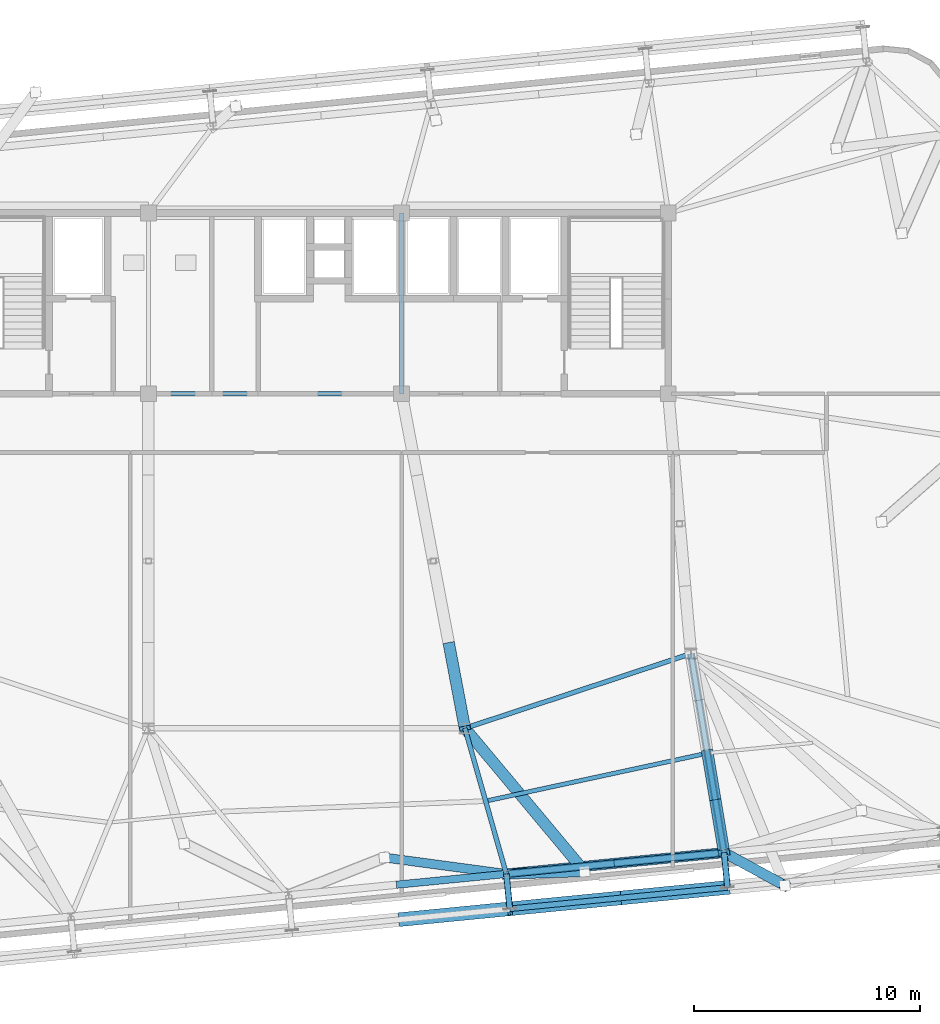
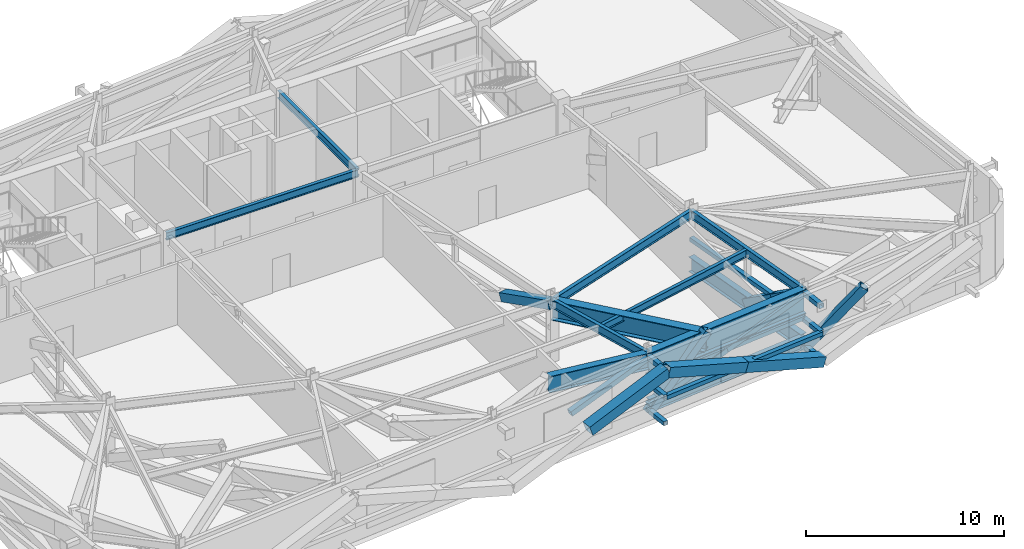
# One storey, part 8 of 24: 22 members, 9 beams.
"""IFC4 building model written with IfcOpenShell, lengths in metres."""

from ifc_helpers import new_model, si_unit, direction, frame, origin, origin_2d, place, context, subcontext, project, spatial, hollow_rectangle, i_section, extrude, source, transform, mapped, material, material_profile, profile_set, type_object, element, save


model = new_model("IFC4")

# Units and contexts
model_context = context("Model", 3, precision=1e-05, world=origin(), true_north=direction((0.0, 1.0)))
body_context = subcontext(model_context, "Body", "Model", "MODEL_VIEW")
ifc_project = project(units=[si_unit("LENGTHUNIT", "METRE"), si_unit("AREAUNIT", "SQUARE_METRE"), si_unit("VOLUMEUNIT", "CUBIC_METRE"), si_unit("PLANEANGLEUNIT", "RADIAN"), si_unit("MASSUNIT", "GRAM", prefix="KILO")], contexts=[model_context])

# Site, building, storey
site_placement = place(None, origin())
site = spatial("IfcSite", under=ifc_project, at=site_placement, CompositionType="ELEMENT")
building_placement = place(site_placement, origin())
building = spatial("IfcBuilding", under=site, at=building_placement, Name="Taldren Reach Tower", CompositionType="ELEMENT")
storey_placement = place(building_placement, frame((0.0, 0.0, 112.35009765625)))
storey = spatial("IfcBuildingStorey", under=building, at=storey_placement, Name="L34", CompositionType="ELEMENT", Elevation=112.35009765625)

# Beams
ifc_material_1 = material(Name="Steel Gr 350 (350PLUS)", Category="steel")
ifc_material_profile_1 = material_profile(ifc_material_1, i_section(OverallWidth=0.19091796875, OverallDepth=0.4599609375, WebThickness=0.010009765625, FlangeThickness=0.01611328125, at=origin_2d()), Name="460UB82.1")
ifc_profile_set_1 = profile_set([ifc_material_profile_1], Name="Steel Gr 350 (350PLUS)")
beam_type_1 = type_object("IfcBeamType", Name="BM-UB460A", PredefinedType="BEAM", material=ifc_profile_set_1)
shared_shape_1 = source(origin(), body_context, "Body", "SweptSolid", [
    extrude(i_section(OverallWidth=0.19091796875, OverallDepth=0.4599609375, WebThickness=0.010009765625, FlangeThickness=0.01611328125, at=origin_2d()), origin(), (0.0, 0.0, 1.0), 11.199951171875),
])
beam_1_placement = place(storey_placement, frame((28.0, 24.0, 3.5498046875), z_axis=(1.0, 0.0, 0.0), x_axis=(0.0, 1.0, 0.0)))
element("IfcBeam", 1, at=beam_1_placement, inside=storey, type_object=beam_type_1, Name="Core-spine girder L34-SP02", PredefinedType="BEAM", context=body_context, shape_type="MappedRepresentation", body=[
    mapped(shared_shape_1, transform((0.0, 0.0, 0.0), scale=1.0)),
])
shared_shape_2 = source(origin(), body_context, "Body", "SweptSolid", [
    extrude(i_section(OverallWidth=0.19091796875, OverallDepth=0.4599609375, WebThickness=0.010009765625, FlangeThickness=0.01611328125, at=origin_2d()), origin(), (0.0, 0.0, 1.0), 8.0),
])
beam_2_placement = place(storey_placement, frame((39.199951171875, 24.0, 3.5498046875), z_axis=(0.0, 1.0, 0.0), x_axis=(-1.0, 0.0, 0.0)))
element("IfcBeam", 2, at=beam_2_placement, inside=storey, type_object=beam_type_1, Name="Core-spine girder L34-SP08", PredefinedType="BEAM", context=body_context, shape_type="MappedRepresentation", body=[
    mapped(shared_shape_2, transform((0.0, 0.0, 0.0), scale=1.0)),
])
ifc_material_profile_2 = material_profile(ifc_material_1, i_section(OverallWidth=0.208984375, OverallDepth=0.532958984375, WebThickness=0.01025390625, FlangeThickness=0.015625, at=origin_2d()), Name="530UB92.4")
ifc_profile_set_2 = profile_set([ifc_material_profile_2], Name="Steel Gr 350 (350PLUS)")
beam_type_2 = type_object("IfcBeamType", Name="BM-UB530A", PredefinedType="BEAM", material=ifc_profile_set_2)
shared_shape_3 = source(origin(), body_context, "Body", "SweptSolid", [
    extrude(i_section(OverallWidth=0.208984375, OverallDepth=0.532958984375, WebThickness=0.01025390625, FlangeThickness=0.015625, at=origin_2d()), origin(), (0.0, 0.0, 1.0), 10.530517578125),
])
beam_3_placement = place(storey_placement, frame((42.0, 9.199951171875, 3.513427734375), z_axis=(0.949627269203, 0.313381635689, 0.0), x_axis=(-0.313381635689, 0.949627269203, 0.0)))
element("IfcBeam", 3, at=beam_3_placement, inside=storey, type_object=beam_type_2, Name="Core-spine girder L34-SP12", PredefinedType="BEAM", context=body_context, shape_type="MappedRepresentation", body=[
    mapped(shared_shape_3, transform((0.0, 0.0, 0.0), scale=1.0)),
])

# Members
ifc_material_2 = material(Name="Steel Gr 450 (C450L0)", Category="steel")
ifc_material_profile_3 = material_profile(ifc_material_2, hollow_rectangle(XDim=0.27490234375, YDim=0.27490234375, WallThickness=0.00927734375, at=origin_2d()), Name="275x275x9.3SHS")
ifc_profile_set_3 = profile_set([ifc_material_profile_3], Name="Steel Gr 450 (C450L0)")
member_type_1 = type_object("IfcMemberType", Name="MB-TIE273", PredefinedType="STRUT", material=ifc_profile_set_3)
shared_shape_4 = source(origin(), body_context, "Body", "SweptSolid", [
    extrude(hollow_rectangle(XDim=0.27490234375, YDim=0.27490234375, WallThickness=0.00927734375, at=origin_2d()), origin(), (0.0, 0.0, 1.0), 1.5498046875),
])
for number, where, z_axis, x_axis, name in (
    (4, (43.83544921875, 2.75390625, 3.5), (0.097663201064, -0.995219523099, 0.0), (0.995219523099, 0.097663201064, 0.0), "Exoskeleton diaphragm tie strut B2-S4 L34"),
    (5, (53.469482421875, 3.698486328125, 3.5), (0.097507178627, -0.995234821595, 0.0), (0.995234821595, 0.097507178627, 0.0), "Exoskeleton diaphragm tie strut B2-S5 L34"),
):
    element("IfcMember", number, at=place(storey_placement, frame(where, z_axis=z_axis, x_axis=x_axis)), inside=storey, type_object=member_type_1, Name=name, PredefinedType="STRUT", context=body_context, shape_type="MappedRepresentation", body=[
        mapped(shared_shape_4, transform((0.0, 0.0, 0.0), scale=1.0)),
    ])
ifc_material_3 = material(Name="Steel Gr 350 (C350L0)", Category="steel")
ifc_material_profile_4 = material_profile(ifc_material_3, hollow_rectangle(XDim=0.25, YDim=0.25, WallThickness=0.010009765625, at=origin_2d()), Name="250x250x10.0SHS")
ifc_profile_set_4 = profile_set([ifc_material_profile_4], Name="Steel Gr 350 (C350L0)")
member_type_2 = type_object("IfcMemberType", Name="MB-POST250", PredefinedType="POST", material=ifc_profile_set_4)
shared_shape_5 = source(origin(), body_context, "Body", "SweptSolid", [
    extrude(hollow_rectangle(XDim=0.25, YDim=0.25, WallThickness=0.010009765625, at=origin_2d()), origin(), (0.0, 0.0, 1.0), 1.5498046875),
])
for number, where, z_axis, x_axis, name in (
    (6, (43.83544921875, 2.75390625, 0.219970703125), (0.097663201064, -0.995219523099, 0.0), (0.995219523099, 0.097663201064, 0.0), "Exoskeleton base diaphragm tie strut B2-S4 L34"),
    (7, (53.469482421875, 3.698486328125, 0.219970703125), (0.097507178627, -0.995234821595, 0.0), (0.995234821595, 0.097507178627, 0.0), "Exoskeleton base diaphragm tie strut B2-S5 L34"),
    (8, (43.83544921875, 2.75390625, 1.85986328125), (0.097663201064, -0.995219523099, 0.0), (0.995219523099, 0.097663201064, 0.0), "Exoskeleton mid-tier diaphragm tie B2-S4 L34"),
    (9, (53.469482421875, 3.698486328125, 1.85986328125), (0.097507178627, -0.995234821595, 0.0), (0.995234821595, 0.097507178627, 0.0), "Exoskeleton mid-tier diaphragm tie B2-S5 L34"),
):
    element("IfcMember", number, at=place(storey_placement, frame(where, z_axis=z_axis, x_axis=x_axis)), inside=storey, type_object=member_type_2, Name=name, PredefinedType="POST", context=body_context, shape_type="MappedRepresentation", body=[
        mapped(shared_shape_5, transform((0.0, 0.0, 0.0), scale=1.0)),
    ])
ifc_material_profile_5 = material_profile(ifc_material_2, hollow_rectangle(XDim=0.510009765625, YDim=0.510009765625, WallThickness=0.02001953125, at=origin_2d()), Name="510x510x20.0SHS")
ifc_profile_set_5 = profile_set([ifc_material_profile_5], Name="Steel Gr 450 (C450L0)")
member_type_3 = type_object("IfcMemberType", Name="MB-EXO508", PredefinedType="BRACE", material=ifc_profile_set_5)
shared_shape_6 = source(origin(), body_context, "Body", "SweptSolid", [
    extrude(hollow_rectangle(XDim=0.510009765625, YDim=0.510009765625, WallThickness=0.02001953125, at=origin_2d()), origin(), (0.0, 0.0, 1.0), 4.05517578125),
])
member_1_placement = place(storey_placement, frame((41.300048828125, 12.89990234375, 1.954833984375), z_axis=(0.172604098422, -0.912387552001, 0.371156005153), x_axis=(0.982572166, 0.185881517646, 0.0)))
element("IfcMember", 10, at=member_1_placement, inside=storey, type_object=member_type_3, Name="Outrigger Transfer Truss Diagonal OT-M2B L34", PredefinedType="BRACE", context=body_context, shape_type="MappedRepresentation", body=[
    mapped(shared_shape_6, transform((0.0, 0.0, 0.0), scale=1.0)),
])

# Beams
shared_shape_7 = source(origin(), body_context, "Body", "SweptSolid", [
    extrude(i_section(OverallWidth=0.208984375, OverallDepth=0.532958984375, WebThickness=0.01025390625, FlangeThickness=0.015625, at=origin_2d()), origin(), (0.0, 0.0, 1.0), 6.7021484375),
])
beam_4_placement = place(storey_placement, frame((42.0, 9.199951171875, 3.513427734375), z_axis=(0.273855026091, -0.961770983491, 0.0), x_axis=(0.961770983491, 0.273855026091, 0.0)))
element("IfcBeam", 11, at=beam_4_placement, inside=storey, type_object=beam_type_2, Name="Primary floor girder B2-S4 L34", PredefinedType="BEAM", context=body_context, shape_type="MappedRepresentation", body=[
    mapped(shared_shape_7, transform((0.0, 0.0, 0.0), scale=1.0)),
])
shared_shape_8 = source(origin(), body_context, "Body", "SweptSolid", [
    extrude(i_section(OverallWidth=0.208984375, OverallDepth=0.532958984375, WebThickness=0.01025390625, FlangeThickness=0.015625, at=origin_2d()), origin(), (0.0, 0.0, 1.0), 8.92333984375),
])
beam_5_placement = place(storey_placement, frame((52.0, 12.5, 3.513427734375), z_axis=(0.164678494096, -0.986347298664, 0.0), x_axis=(0.986347298664, 0.164678494096, 0.0)))
element("IfcBeam", 12, at=beam_5_placement, inside=storey, type_object=beam_type_2, Name="Primary floor girder B2-S5 L34", PredefinedType="BEAM", context=body_context, shape_type="MappedRepresentation", body=[
    mapped(shared_shape_8, transform((0.0, 0.0, 0.0), scale=1.0)),
])
shared_shape_9 = source(origin(), body_context, "Body", "SweptSolid", [
    extrude(i_section(OverallWidth=0.19091796875, OverallDepth=0.4599609375, WebThickness=0.010009765625, FlangeThickness=0.01611328125, at=origin_2d()), origin(), (0.0, 0.0, 1.0), 9.83447265625),
])
beam_6_placement = place(storey_placement, frame((43.02001953125, 5.9990234375, 3.5498046875), z_axis=(0.977418600156, 0.211312280924, 0.0), x_axis=(-0.211312280924, 0.977418600156, 0.0)))
element("IfcBeam", 13, at=beam_6_placement, inside=storey, type_object=beam_type_1, Name="Secondary floor beam B2 J4 L34", PredefinedType="BEAM", context=body_context, shape_type="MappedRepresentation", body=[
    mapped(shared_shape_9, transform((0.0, 0.0, 0.0), scale=1.0)),
])

# Member
shared_shape_10 = source(origin(), body_context, "Body", "SweptSolid", [
    extrude(hollow_rectangle(XDim=0.25, YDim=0.25, WallThickness=0.010009765625, at=origin_2d()), origin(), (0.0, 0.0, 1.0), 9.679931640625),
])
member_2_placement = place(storey_placement, frame((43.98681640625, 1.21142578125, 1.85986328125), z_axis=(0.995227612658, 0.097580730699, 0.0), x_axis=(-0.097580730699, 0.995227612658, 0.0)))
element("IfcMember", 14, at=member_2_placement, inside=storey, type_object=member_type_2, Name="Exoskeleton mid-height ring chord B2-S4 L34", PredefinedType="POST", context=body_context, shape_type="MappedRepresentation", body=[
    mapped(shared_shape_10, transform((0.0, 0.0, 0.0), scale=1.0)),
])

# Beams
ifc_material_profile_6 = material_profile(ifc_material_1, i_section(OverallWidth=0.449951171875, OverallDepth=1.5, WebThickness=0.02001953125, FlangeThickness=0.0439453125, at=origin_2d()), Name="1500WB550")
ifc_profile_set_6 = profile_set([ifc_material_profile_6], Name="Steel Gr 350 (350PLUS)")
beam_type_3 = type_object("IfcBeamType", Name="BM-PG1500", PredefinedType="BEAM", material=ifc_profile_set_6)
shared_shape_11 = source(origin(), body_context, "Body", "SweptSolid", [
    extrude(i_section(OverallWidth=0.449951171875, OverallDepth=1.5, WebThickness=0.02001953125, FlangeThickness=0.0439453125, at=origin_2d()), origin(), (0.0, 0.0, 1.0), 9.68017578125),
])
beam_7_placement = place(storey_placement, frame((43.83544921875, 2.75390625, 3.02978515625), z_axis=(0.995227852805, 0.097578281404, 0.0), x_axis=(-0.097578281404, 0.995227852805, 0.0)))
element("IfcBeam", 15, at=beam_7_placement, inside=storey, type_object=beam_type_3, Name="Belt Truss Transfer Tie Girder TG-B3-S5B on L34", PredefinedType="SPANDREL", context=body_context, shape_type="MappedRepresentation", body=[
    mapped(shared_shape_11, transform((0.0, 0.0, 0.0), scale=1.0)),
])
ifc_material_profile_7 = material_profile(ifc_material_1, i_section(OverallWidth=0.39990234375, OverallDepth=1.02392578125, WebThickness=0.01611328125, FlangeThickness=0.031982421875, at=origin_2d()), Name="1000WB322")
ifc_profile_set_7 = profile_set([ifc_material_profile_7], Name="Steel Gr 350 (350PLUS)")
beam_type_4 = type_object("IfcBeamType", Name="BM-WB1000", PredefinedType="BEAM", material=ifc_profile_set_7)
shared_shape_12 = source(origin(), body_context, "Body", "SweptSolid", [
    extrude(i_section(OverallWidth=0.39990234375, OverallDepth=1.02392578125, WebThickness=0.01611328125, FlangeThickness=0.031982421875, at=origin_2d()), origin(), (0.0, 0.0, 1.0), 5.4453125),
])
beam_8_placement = place(storey_placement, frame((43.83544921875, 2.75390625, 3.267822265625), z_axis=(-0.991064651165, 0.133382372188, 0.0), x_axis=(-0.133382372188, -0.991064651165, 0.0)))
element("IfcBeam", 16, at=beam_8_placement, inside=storey, type_object=beam_type_4, Name="Belt Truss Transfer Tie Girder TG-B3-S4B on L34", PredefinedType="BEAM", context=body_context, shape_type="MappedRepresentation", body=[
    mapped(shared_shape_12, transform((0.0, 0.0, 0.0), scale=1.0)),
])

# Member
ifc_material_profile_8 = material_profile(ifc_material_2, hollow_rectangle(XDim=0.4599609375, YDim=0.4599609375, WallThickness=0.01611328125, at=origin_2d()), Name="460x460x16.0SHS")
ifc_profile_set_8 = profile_set([ifc_material_profile_8], Name="Steel Gr 450 (C450L0)")
member_type_4 = type_object("IfcMemberType", Name="MB-EXO457", PredefinedType="BRACE", material=ifc_profile_set_8)
shared_shape_13 = source(origin(), body_context, "Body", "SweptSolid", [
    extrude(hollow_rectangle(XDim=0.4599609375, YDim=0.4599609375, WallThickness=0.01611328125, at=origin_2d()), origin(), (0.0, 0.0, 1.0), 5.11181640625),
])
member_3_placement = place(storey_placement, frame((43.83544921875, 2.75390625, 0.02001953125), z_axis=(0.677193531988, 0.020871258444, 0.735508878808), x_axis=(-0.030805599659, 0.99952539489, 0.0)))
element("IfcMember", 17, at=member_3_placement, inside=storey, type_object=member_type_4, Name="Outrigger Belt Truss Transfer Strut TS-B3-S5 L34", PredefinedType="BRACE", context=body_context, shape_type="MappedRepresentation", body=[
    mapped(shared_shape_13, transform((0.0, 0.0, 0.0), scale=1.0)),
])

# Beam
ifc_material_profile_9 = material_profile(ifc_material_1, i_section(OverallWidth=0.5, OverallDepth=1.199951171875, WebThickness=0.01611328125, FlangeThickness=0.0400390625, at=origin_2d()), Name="1200WB455")
ifc_profile_set_9 = profile_set([ifc_material_profile_9], Name="Steel Gr 350 (350PLUS)")
beam_type_5 = type_object("IfcBeamType", Name="BM-WB1200", PredefinedType="BEAM", material=ifc_profile_set_9)
shared_shape_14 = source(origin(), body_context, "Body", "SweptSolid", [
    extrude(i_section(OverallWidth=0.5, OverallDepth=1.199951171875, WebThickness=0.01611328125, FlangeThickness=0.0400390625, at=origin_2d()), origin(), (0.0, 0.0, 1.0), 8.26123046875),
])
beam_9_placement = place(storey_placement, frame((42.0, 9.199951171875, 3.179931640625), z_axis=(0.64120703686, -0.767367927322, 0.0), x_axis=(0.767367927322, 0.64120703686, 0.0)))
element("IfcBeam", 18, at=beam_9_placement, inside=storey, type_object=beam_type_5, Name="Belt Truss Transfer Girder TG-B3-S5A on L34", PredefinedType="BEAM", context=body_context, shape_type="MappedRepresentation", body=[
    mapped(shared_shape_14, transform((0.0, 0.0, 0.0), scale=1.0)),
])

# Members
shared_shape_15 = source(origin(), body_context, "Body", "SweptSolid", [
    extrude(hollow_rectangle(XDim=0.4599609375, YDim=0.4599609375, WallThickness=0.01611328125, at=origin_2d()), origin(), (0.0, 0.0, 1.0), 4.844970703125),
])
member_4_placement = place(storey_placement, frame((53.469482421875, 3.698486328125, 0.02001953125), z_axis=(0.554390281013, -0.300777639281, 0.776005301545), x_axis=(0.476874991632, 0.878971127146, 0.0)))
element("IfcMember", 19, at=member_4_placement, inside=storey, type_object=member_type_4, Name="Outrigger Belt Truss Transfer Strut TS-B3-S6 L34", PredefinedType="BRACE", context=body_context, shape_type="MappedRepresentation", body=[
    mapped(shared_shape_15, transform((0.0, 0.0, 0.0), scale=1.0)),
])
ifc_material_profile_10 = material_profile(ifc_material_1, i_section(OverallWidth=0.35009765625, OverallDepth=0.916015625, WebThickness=0.013916015625, FlangeThickness=0.028076171875, at=origin_2d()), Name="900WB257")
ifc_profile_set_10 = profile_set([ifc_material_profile_10], Name="Steel Gr 350 (350PLUS)")
member_type_5 = type_object("IfcMemberType", Name="MB-CH900", PredefinedType="CHORD", material=ifc_profile_set_10)
shared_shape_16 = source(origin(), body_context, "Body", "SweptSolid", [
    extrude(i_section(OverallWidth=0.35009765625, OverallDepth=0.916015625, WebThickness=0.013916015625, FlangeThickness=0.028076171875, at=origin_2d()), origin(), (0.0, 0.0, 1.0), 8.92333984375),
])
member_5_placement = place(storey_placement, frame((52.0, 12.5, 0.449951171875), z_axis=(0.164678494096, -0.986347298664, 0.0), x_axis=(0.986347298664, 0.164678494096, 0.0)))
element("IfcMember", 20, at=member_5_placement, inside=storey, type_object=member_type_5, Name="Outrigger Transfer Truss Bottom Chord OT-E2 L34", PredefinedType="CHORD", context=body_context, shape_type="MappedRepresentation", body=[
    mapped(shared_shape_16, transform((0.0, 0.0, 0.0), scale=1.0)),
])
shared_shape_17 = source(origin(), body_context, "Body", "SweptSolid", [
    extrude(hollow_rectangle(XDim=0.25, YDim=0.25, WallThickness=0.010009765625, at=origin_2d()), origin(), (0.0, 0.0, 1.0), 8.92333984375),
])
member_6_placement = place(storey_placement, frame((52.0, 12.5, 1.954833984375), z_axis=(0.164678494096, -0.986347298664, 0.0), x_axis=(0.986347298664, 0.164678494096, 0.0)))
element("IfcMember", 21, at=member_6_placement, inside=storey, type_object=member_type_2, Name="Outrigger Transfer Truss Mid Chord OT-E2 L34", PredefinedType="POST", context=body_context, shape_type="MappedRepresentation", body=[
    mapped(shared_shape_17, transform((0.0, 0.0, 0.0), scale=1.0)),
])
shared_shape_18 = source(origin(), body_context, "Body", "SweptSolid", [
    extrude(hollow_rectangle(XDim=0.510009765625, YDim=0.510009765625, WallThickness=0.02001953125, at=origin_2d()), origin(), (0.0, 0.0, 1.0), 2.69091796875),
])
member_7_placement = place(storey_placement, frame((52.734619140625, 8.099365234375, 0.449951171875), z_axis=(0.13653969352, -0.817695852291, 0.559223037115), x_axis=(0.986343596448, 0.164700667109, 0.0)))
element("IfcMember", 22, at=member_7_placement, inside=storey, type_object=member_type_3, Name="Outrigger Transfer Truss Diagonal OT-E2B L34", PredefinedType="BRACE", context=body_context, shape_type="MappedRepresentation", body=[
    mapped(shared_shape_18, transform((0.0, 0.0, 0.0), scale=1.0)),
])
shared_shape_19 = source(origin(), body_context, "Body", "SweptSolid", [
    extrude(hollow_rectangle(XDim=0.510009765625, YDim=0.510009765625, WallThickness=0.02001953125, at=origin_2d()), origin(), (0.0, 0.0, 1.0), 2.691162109375),
])
member_8_placement = place(storey_placement, frame((53.10205078125, 5.89892578125, 1.954833984375), z_axis=(0.136532766147, -0.817654366302, 0.55928538425), x_axis=(0.986343596448, 0.164700667109, 0.0)))
element("IfcMember", 23, at=member_8_placement, inside=storey, type_object=member_type_3, Name="Outrigger Transfer Truss Diagonal OT-E2B L34", PredefinedType="BRACE", context=body_context, shape_type="MappedRepresentation", body=[
    mapped(shared_shape_19, transform((0.0, 0.0, 0.0), scale=1.0)),
])
ifc_material_profile_11 = material_profile(ifc_material_2, hollow_rectangle(XDim=0.324951171875, YDim=0.324951171875, WallThickness=0.0126953125, at=origin_2d()), Name="325x325x12.7SHS")
ifc_profile_set_11 = profile_set([ifc_material_profile_11], Name="Steel Gr 450 (C450L0)")
member_type_6 = type_object("IfcMemberType", Name="MB-BR324", PredefinedType="BRACE", material=ifc_profile_set_11)
shared_shape_20 = source(origin(), body_context, "Body", "SweptSolid", [
    extrude(hollow_rectangle(XDim=0.324951171875, YDim=0.324951171875, WallThickness=0.0126953125, at=origin_2d()), origin(), (0.0, 0.0, 1.0), 5.068603515625),
])
for number, where, z_axis, x_axis, name in (
    (24, (39.0185546875, 2.281494140625, 1.954833984375), (0.950333814448, 0.093203037555, 0.296949212675), (-0.097605711627, 0.995225162995, 0.0), "Belt Truss Transfer Diagonal S3 L34"),
    (25, (48.652587890625, 3.226318359375, 1.954833984375), (0.950338079713, 0.093155288706, 0.296950545435), (-0.097555749586, 0.995230061706, 0.0), "Belt Truss Transfer Diagonal S4 L34"),
):
    element("IfcMember", number, at=place(storey_placement, frame(where, z_axis=z_axis, x_axis=x_axis)), inside=storey, type_object=member_type_6, Name=name, PredefinedType="BRACE", context=body_context, shape_type="MappedRepresentation", body=[
        mapped(shared_shape_20, transform((0.0, 0.0, 0.0), scale=1.0)),
    ])
ifc_material_profile_12 = material_profile(ifc_material_1, i_section(OverallWidth=0.300048828125, OverallDepth=0.81591796875, WebThickness=0.011962890625, FlangeThickness=0.02392578125, at=origin_2d()), Name="800WB192")
ifc_profile_set_12 = profile_set([ifc_material_profile_12], Name="Steel Gr 350 (350PLUS)")
member_type_7 = type_object("IfcMemberType", Name="MB-CH800", PredefinedType="CHORD", material=ifc_profile_set_12)
shared_shape_21 = source(origin(), body_context, "Body", "SweptSolid", [
    extrude(i_section(OverallWidth=0.300048828125, OverallDepth=0.81591796875, WebThickness=0.011962890625, FlangeThickness=0.02392578125, at=origin_2d()), origin(), (0.0, 0.0, 1.0), 9.68017578125),
])
member_9_placement = place(storey_placement, frame((43.83544921875, 2.75390625, 0.449951171875), z_axis=(0.995227852805, 0.097578281404, 0.0), x_axis=(-0.097578281404, 0.995227852805, 0.0)))
element("IfcMember", 26, at=member_9_placement, inside=storey, type_object=member_type_7, Name="Belt Truss Transfer Bottom Chord S4 L34", PredefinedType="CHORD", context=body_context, shape_type="MappedRepresentation", body=[
    mapped(shared_shape_21, transform((0.0, 0.0, 0.0), scale=1.0)),
])
shared_shape_22 = source(origin(), body_context, "Body", "SweptSolid", [
    extrude(hollow_rectangle(XDim=0.25, YDim=0.25, WallThickness=0.010009765625, at=origin_2d()), origin(), (0.0, 0.0, 1.0), 9.68017578125),
])
member_10_placement = place(storey_placement, frame((43.83544921875, 2.75390625, 1.954833984375), z_axis=(0.995227852805, 0.097578281404, 0.0), x_axis=(-0.097578281404, 0.995227852805, 0.0)))
element("IfcMember", 27, at=member_10_placement, inside=storey, type_object=member_type_2, Name="Belt Truss Transfer Mid Chord S4 L34", PredefinedType="POST", context=body_context, shape_type="MappedRepresentation", body=[
    mapped(shared_shape_22, transform((0.0, 0.0, 0.0), scale=1.0)),
])
shared_shape_23 = source(origin(), body_context, "Body", "SweptSolid", [
    extrude(hollow_rectangle(XDim=0.324951171875, YDim=0.324951171875, WallThickness=0.0126953125, at=origin_2d()), origin(), (0.0, 0.0, 1.0), 5.06884765625),
])
member_11_placement = place(storey_placement, frame((43.83544921875, 2.75390625, 0.449951171875), z_axis=(0.950352070615, 0.093200104234, 0.296891701549), x_axis=(-0.097600811931, 0.995225643515, 0.0)))
element("IfcMember", 28, at=member_11_placement, inside=storey, type_object=member_type_6, Name="Belt Truss Transfer Diagonal S4 L34", PredefinedType="BRACE", context=body_context, shape_type="MappedRepresentation", body=[
    mapped(shared_shape_23, transform((0.0, 0.0, 0.0), scale=1.0)),
])
ifc_material_profile_13 = material_profile(ifc_material_2, hollow_rectangle(XDim=0.614990234375, YDim=0.614990234375, WallThickness=0.02490234375, at=origin_2d()), Name="615x615x25.0SHS")
ifc_profile_set_13 = profile_set([ifc_material_profile_13], Name="Steel Gr 450 (C450L0)")
member_type_8 = type_object("IfcMemberType", Name="MB-EXO610", PredefinedType="BRACE", material=ifc_profile_set_13)
shared_shape_24 = source(origin(), body_context, "Body", "SweptSolid", [
    extrude(hollow_rectangle(XDim=0.614990234375, YDim=0.614990234375, WallThickness=0.02490234375, at=origin_2d()), origin(), (0.0, 0.0, 1.0), 5.1103515625),
])
for number, where, z_axis, x_axis, name in (
    (29, (39.169921875, 0.739013671875, 1.85986328125), (0.942575933361, 0.092442191133, 0.320944000016), (-0.097605711627, 0.995225162995, 0.0), "Exoskeleton Diagrid Brace B2-S3 L34"),
    (30, (53.62060546875, 2.156005859375, 0.219970703125), (-0.942590384848, -0.092443608448, 0.320901146225), (0.097605711627, -0.995225162995, 0.0), "Exoskeleton Diagrid Brace B2-S4 L34"),
    (31, (48.8037109375, 1.68359375, 1.85986328125), (-0.94258009502, -0.09239482533, 0.320945417047), (0.097555749586, -0.995230061706, 0.0), "Exoskeleton Diagrid Brace B2-S4 L34"),
):
    element("IfcMember", number, at=place(storey_placement, frame(where, z_axis=z_axis, x_axis=x_axis)), inside=storey, type_object=member_type_8, Name=name, PredefinedType="BRACE", context=body_context, shape_type="MappedRepresentation", body=[
        mapped(shared_shape_24, transform((0.0, 0.0, 0.0), scale=1.0)),
    ])

save(model, "model.ifc")
